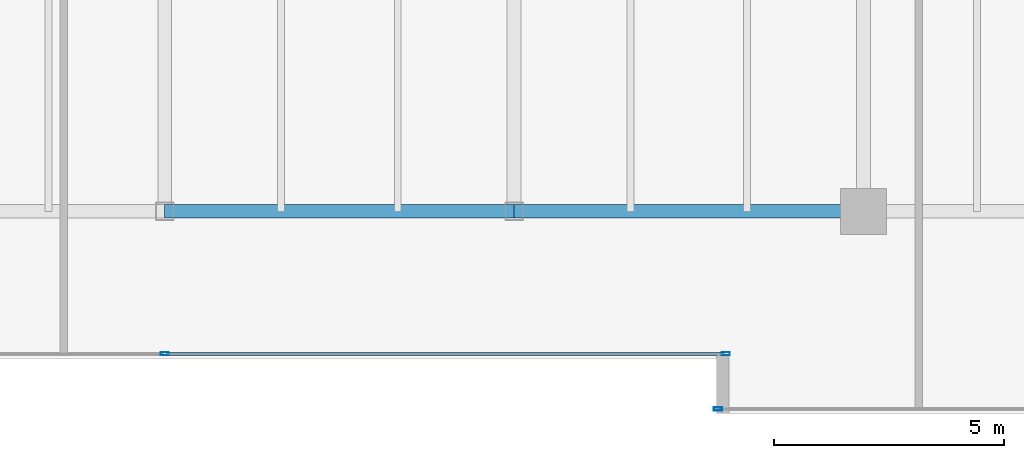
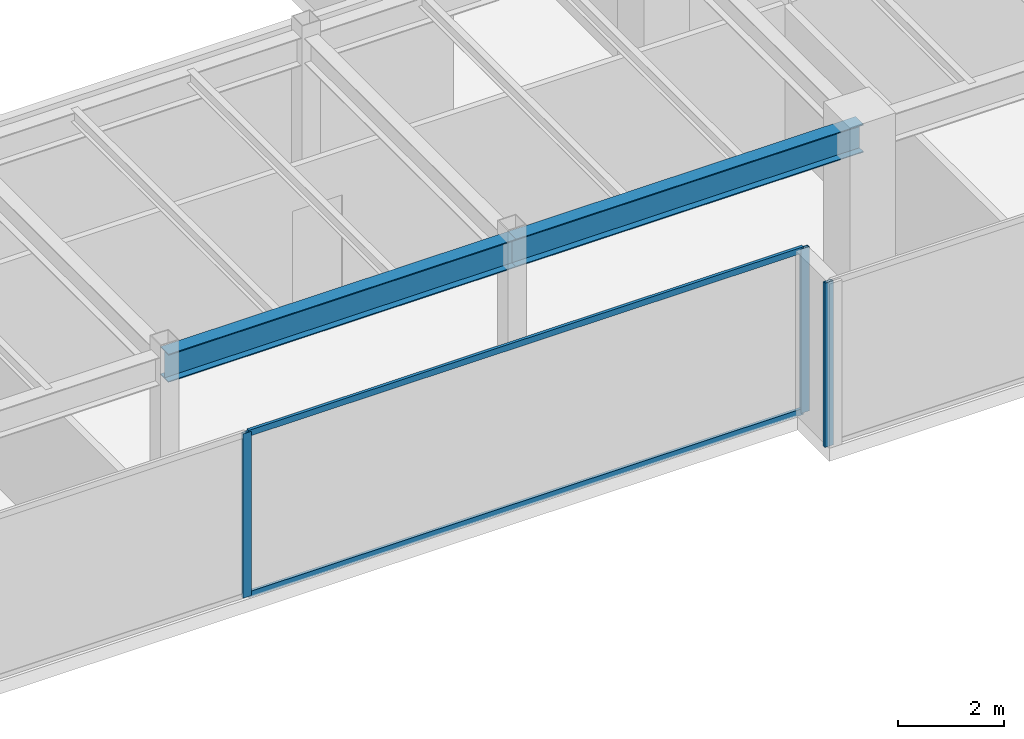
# One storey, part 11 of 33: 5 members, 2 beams, 2 elements without a shape of their own.
"""IFC4 building model written with IfcOpenShell, lengths in metres."""

from ifc_helpers import new_model, si_unit, direction, frame, origin, origin_2d, place, context, subcontext, project, spatial, hollow_rectangle, i_section, extrude, source, transform, mapped, material, layer, layer_set, material_profile, profile_set, type_object, type_shapes, element, aggregate, save


model = new_model("IFC4")

# Units and contexts
model_context = context("Model", 3, precision=1e-05, world=origin(), true_north=direction((0.0, 1.0)))
body_context = subcontext(model_context, "Body", "Model", "MODEL_VIEW")
ifc_project = project(units=[si_unit("LENGTHUNIT", "METRE"), si_unit("AREAUNIT", "SQUARE_METRE"), si_unit("VOLUMEUNIT", "CUBIC_METRE"), si_unit("PLANEANGLEUNIT", "RADIAN"), si_unit("MASSUNIT", "GRAM", prefix="KILO")], contexts=[model_context])

# Site, building, storey
site_placement = place(None, origin())
site = spatial("IfcSite", under=ifc_project, at=site_placement, CompositionType="ELEMENT")
building_placement = place(site_placement, origin())
building = spatial("IfcBuilding", under=site, at=building_placement, Name="Haelvirn Gate Laboratories", CompositionType="ELEMENT")
storey_placement = place(building_placement, frame((0.0, 0.0, 213.699951171875)))
storey = spatial("IfcBuildingStorey", under=building, at=storey_placement, Name="L51", CompositionType="ELEMENT", Elevation=213.699951171875)

# Beams
ifc_material_1 = material(Name="Steel SM355", Category="steel")
ifc_material_profile_1 = material_profile(ifc_material_1, i_section(OverallWidth=0.300048828125, OverallDepth=0.64990234375, WebThickness=0.012939453125, FlangeThickness=0.02197265625, at=origin_2d()), Name="H-650x300x13x22")
ifc_profile_set_1 = profile_set([ifc_material_profile_1], Name="Steel SM355")
beam_type = type_object("IfcBeamType", Name="BM-G-650", PredefinedType="BEAM", material=ifc_profile_set_1)
shared_shape_1 = source(origin(), body_context, "Body", "SweptSolid", [
    extrude(i_section(OverallWidth=0.300048828125, OverallDepth=0.64990234375, WebThickness=0.012939453125, FlangeThickness=0.02197265625, at=origin_2d()), origin(), (0.0, 0.0, 1.0), 7.60009765625),
])
type_shapes(beam_type, [shared_shape_1])
for number, where, z_axis, x_axis, name in (
    (1, (37.39990234375, 7.0, 3.47509765625), (1.0, 0.0, 0.0), (0.0, 1.0, 0.0), "L51 Primary Girder Y7.0 (37.4-45.0)"),
    (2, (45.0, 7.0, 3.47509765625), (1.0, 0.0, 0.0), (0.0, 1.0, 0.0), "L51 Primary Girder Y7.0 (45.0-52.6)"),
):
    element("IfcBeam", number, at=place(storey_placement, frame(where, z_axis=z_axis, x_axis=x_axis)), inside=storey, type_object=beam_type, Name=name, PredefinedType="BEAM", context=body_context, shape_type="MappedRepresentation", body=[
        mapped(shared_shape_1, transform((0.0, 0.0, 0.0), scale=1.0)),
    ])

# Curtain wall, members
ifc_material_2 = material(Name="Anodised bronze unitised aluminium & triple low-E glass", Category="aluminium")
ifc_layer = layer(ifc_material_2, 0.176025390625, Name="CW-SYS-4")
ifc_layer_set = layer_set([ifc_layer], Name="Anodised bronze unitised aluminium & triple low-E glass")
curtain_wall_type = type_object("IfcCurtainWallType", Name="CW-SYS-4", PredefinedType="NOTDEFINED", material=ifc_layer_set)
curtain_wall_1_placement = place(storey_placement, origin())
curtain_wall_1 = element("IfcCurtainWall", 3, at=curtain_wall_1_placement, inside=storey, type_object=curtain_wall_type, Name="L51 Unitised Curtain Wall CW-L51-P0-E02-1", PredefinedType="NOTDEFINED")
ifc_material_3 = material(Name="Extruded aluminium 6063-T6 (anodised bronze)", Category="aluminium")
ifc_material_profile_2 = material_profile(ifc_material_3, hollow_rectangle(XDim=0.06494140625, YDim=0.139892578125, WallThickness=0.00390625, at=origin_2d()), Name="CWT-140x65x4")
ifc_profile_set_2 = profile_set([ifc_material_profile_2], Name="Extruded aluminium 6063-T6 (anodised bronze)")
member_type_1 = type_object("IfcMemberType", Name="CWT-T140", PredefinedType="USERDEFINED", material=ifc_profile_set_2)
shared_shape_2 = source(origin(), body_context, "Body", "SweptSolid", [
    extrude(hollow_rectangle(XDim=0.06494140625, YDim=0.139892578125, WallThickness=0.00390625, at=origin_2d()), origin(), (0.0, 0.0, 1.0), 12.135009765625),
])
type_shapes(member_type_1, [shared_shape_2])
member_1_placement = place(storey_placement, frame((37.43505859375, 3.89990234375, 0.032470703125), z_axis=(1.0, 0.0, 0.0), x_axis=(0.0, 1.0, 0.0)))
member_1 = element("IfcMember", 4, at=member_1_placement, type_object=member_type_1, Name="CW4 transom 2.1", ObjectType="TRANSOM", PredefinedType="USERDEFINED", context=body_context, shape_type="MappedRepresentation", body=[
    mapped(shared_shape_2, transform((0.0, 0.0, 0.0), scale=1.0)),
])
member_2_placement = place(storey_placement, frame((37.43505859375, 3.89990234375, 3.767578125), z_axis=(1.0, 0.0, 0.0), x_axis=(0.0, 1.0, 0.0)))
member_2 = element("IfcMember", 5, at=member_2_placement, type_object=member_type_1, Name="CW4 transom 2.2", ObjectType="TRANSOM", PredefinedType="USERDEFINED", context=body_context, shape_type="MappedRepresentation", body=[
    mapped(shared_shape_2, transform((0.0, 0.0, 0.0), scale=1.0)),
])
ifc_material_profile_3 = material_profile(ifc_material_3, hollow_rectangle(XDim=0.070068359375, YDim=0.179931640625, WallThickness=0.0048828125, at=origin_2d()), Name="CWM-180x70x5")
ifc_profile_set_3 = profile_set([ifc_material_profile_3], Name="Extruded aluminium 6063-T6 (anodised bronze)")
member_type_2 = type_object("IfcMemberType", Name="CWM-T180", PredefinedType="MULLION", material=ifc_profile_set_3)
shared_shape_3 = source(origin(), body_context, "Body", "SweptSolid", [
    extrude(hollow_rectangle(XDim=0.070068359375, YDim=0.179931640625, WallThickness=0.0048828125, at=origin_2d()), origin(), (0.0, 0.0, 1.0), 3.800048828125),
])
type_shapes(member_type_2, [shared_shape_3])
member_3_placement = place(storey_placement, frame((37.39990234375, 3.89990234375, 0.0), z_axis=(0.0, 0.0, 1.0), x_axis=(0.0, 1.0, 0.0)))
member_3 = element("IfcMember", 6, at=member_3_placement, type_object=member_type_2, Name="CW4 mullion 2", PredefinedType="MULLION", context=body_context, shape_type="MappedRepresentation", body=[
    mapped(shared_shape_3, transform((0.0, 0.0, 0.0), scale=1.0)),
])
member_4_placement = place(storey_placement, frame((49.60498046875, 3.89990234375, 0.0), z_axis=(0.0, 0.0, 1.0), x_axis=(0.0, 1.0, 0.0)))
member_4 = element("IfcMember", 7, at=member_4_placement, type_object=member_type_2, Name="CW4 mullion 3", PredefinedType="MULLION", context=body_context, shape_type="MappedRepresentation", body=[
    mapped(shared_shape_3, transform((0.0, 0.0, 0.0), scale=1.0)),
])
aggregate(curtain_wall_1, [member_3, member_4, member_1, member_2])

# Curtain wall, member
curtain_wall_2_placement = place(storey_placement, origin())
curtain_wall_2 = element("IfcCurtainWall", 8, at=curtain_wall_2_placement, inside=storey, type_object=curtain_wall_type, Name="L51 Unitised Curtain Wall CW-L51-P0-E04-1", PredefinedType="NOTDEFINED")
member_5_placement = place(storey_placement, frame((49.43505859375, 2.699951171875, 0.0), z_axis=(0.0, 0.0, 1.0), x_axis=(0.0, 1.0, 0.0)))
member_5 = element("IfcMember", 9, at=member_5_placement, type_object=member_type_2, Name="CW4 mullion 1", PredefinedType="MULLION", context=body_context, shape_type="MappedRepresentation", body=[
    mapped(shared_shape_3, transform((0.0, 0.0, 0.0), scale=1.0)),
])
aggregate(curtain_wall_2, [member_5])

save(model, "model.ifc")
